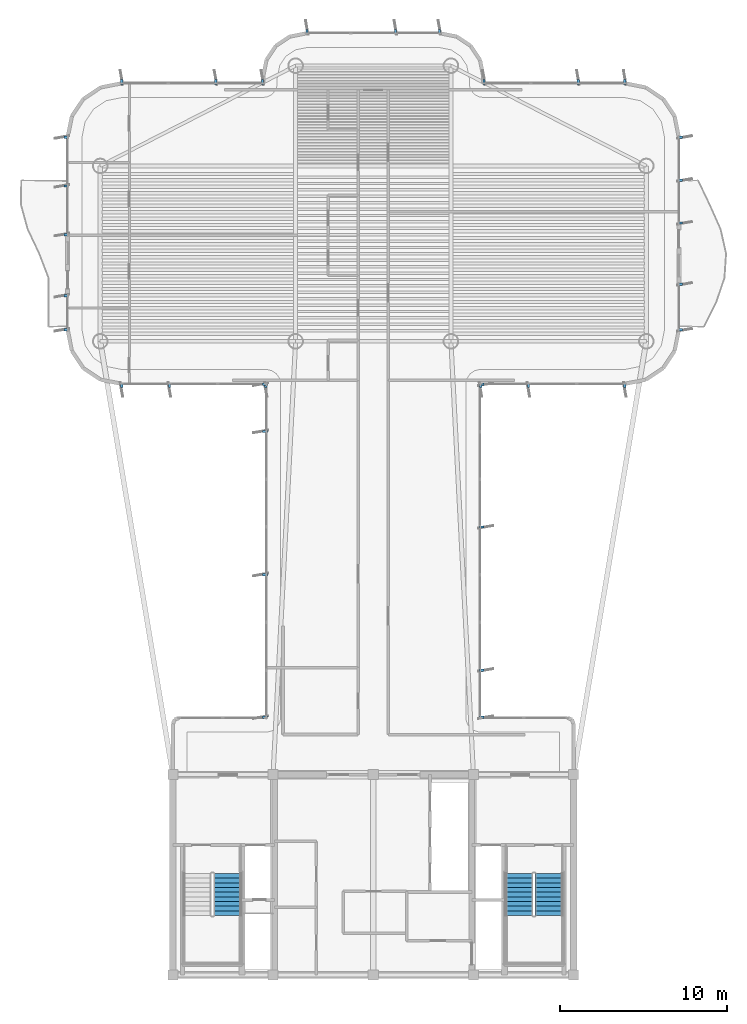
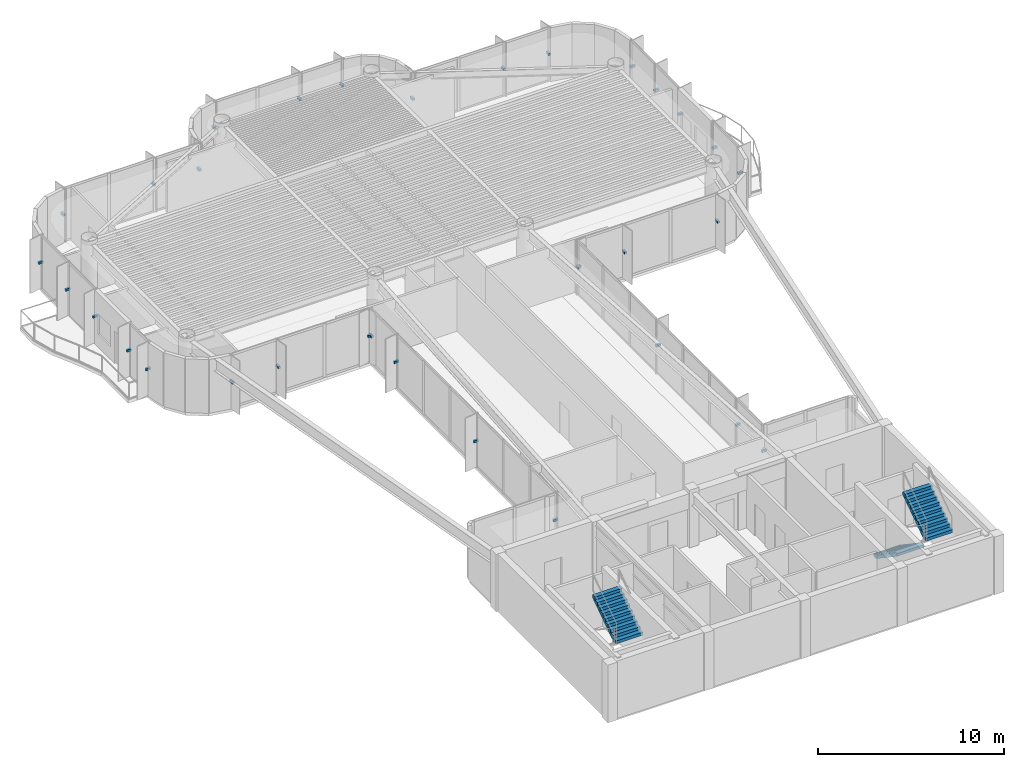
# One storey, part 13 of 15: 33 discrete accessories, 3 stair flights, 2 elements without a shape of their own.
"""IFC4 building model written with IfcOpenShell, lengths in metres."""

from ifc_helpers import new_model, si_unit, direction, frame, origin, origin_2d, place, context, subcontext, project, spatial, polyline, rectangle, outline, extrude, source, transform, mapped, material, type_object, element, aggregate, save


model = new_model("IFC4")

# Units and contexts
model_context = context("Model", 3, precision=1e-05, world=origin(), true_north=direction((0.0, 1.0)))
body_context = subcontext(model_context, "Body", "Model", "MODEL_VIEW")
ifc_project = project(units=[si_unit("LENGTHUNIT", "METRE"), si_unit("AREAUNIT", "SQUARE_METRE"), si_unit("VOLUMEUNIT", "CUBIC_METRE"), si_unit("PLANEANGLEUNIT", "RADIAN"), si_unit("MASSUNIT", "GRAM", prefix="KILO")], contexts=[model_context])

# Site, building, storey
site_placement = place(None, origin())
site = spatial("IfcSite", under=ifc_project, at=site_placement, CompositionType="ELEMENT")
building_placement = place(site_placement, origin())
building = spatial("IfcBuilding", under=site, at=building_placement, Name="Brelvock Crest Care Tower", CompositionType="ELEMENT")
storey_placement = place(building_placement, frame((0.0, 0.0, 279.719970703125)))
storey = spatial("IfcBuildingStorey", under=building, at=storey_placement, Name="L71", CompositionType="ELEMENT", Elevation=279.719970703125)

# Stair, stair flight
ifc_material_1 = material(Name="Concrete N40 (40 MPa)", Category="concrete")
stair_type = type_object("IfcStairType", Name="ST-CORE1", PredefinedType="HALF_TURN_STAIR", material=ifc_material_1)
stair_1_placement = place(storey_placement, origin())
stair_1 = element("IfcStair", 1, at=stair_1_placement, inside=storey, type_object=stair_type, Name="L71 Fire-Isolated Core Stair ST-1", PredefinedType="HALF_TURN_STAIR")
stair_flight_type = type_object("IfcStairFlightType", Name="STF-1", PredefinedType="STRAIGHT", material=ifc_material_1)
stair_flight_1_placement = place(storey_placement, frame((27.27001953125, 9.56005859375, 1.89013671875), z_axis=(0.0, 0.0, 1.0), x_axis=(0.0, 1.0, 0.0)))
stair_flight_1 = element("IfcStairFlight", 2, at=stair_flight_1_placement, type_object=stair_flight_type, Name="ST-1 flight 2", NumberOfRisers=10, NumberOfTreads=9, PredefinedType="STRAIGHT", RiserHeight=0.189, TreadLength=0.28, context=body_context, shape_type="SweptSolid", body=[
    extrude(outline(polyline([(-0.00390625, -0.014892578125), (-0.00390625, -0.0078125), (-0.00390625, -0.00048828125), (-0.00390625, 0.0068359375), (-0.00390625, 0.01416015625), (-0.00390625, 0.021484375), (-0.00390625, 0.02880859375), (-0.00390625, 0.035888671875), (-0.00390625, 0.043212890625), (-0.00390625, 0.050537109375), (-0.00390625, 0.057861328125), (-0.00390625, 0.065185546875), (-0.00390625, 0.072509765625), (-0.00390625, 0.07958984375), (-0.00390625, 0.0869140625), (-0.00390625, 0.09423828125), (-0.00390625, 0.1015625), (-0.00390625, 0.10888671875), (-0.00390625, 0.1162109375), (-0.00390625, 0.12353515625), (-0.00390625, 0.130615234375), (-0.00390625, 0.137939453125), (-0.00390625, 0.145263671875), (-0.00390625, 0.152587890625), (-0.00390625, 0.159912109375), (-0.00390625, 0.167236328125), (-0.00390625, 0.17431640625), (-0.00390625, 0.181640625), (-0.00390625, 0.18896484375), (0.0, 0.18896484375), (0.280029296875, 0.18896484375), (0.280029296875, 0.3779296875), (0.56005859375, 0.3779296875), (0.56005859375, 0.56689453125), (0.840087890625, 0.56689453125), (0.840087890625, 0.756103515625), (1.1201171875, 0.756103515625), (1.1201171875, 0.945068359375), (1.39990234375, 0.945068359375), (1.39990234375, 1.134033203125), (1.679931640625, 1.134033203125), (1.679931640625, 1.322998046875), (1.9599609375, 1.322998046875), (1.9599609375, 1.511962890625), (2.239990234375, 1.511962890625), (2.239990234375, 1.700927734375), (2.52001953125, 1.700927734375), (2.52392578125, 1.700927734375), (2.523681640625, 1.70068359375), (2.52392578125, 1.700439453125), (2.523681640625, 1.699951171875), (2.52392578125, 1.69970703125), (2.523681640625, 1.699462890625), (2.52392578125, 1.698974609375), (2.523681640625, 1.69873046875), (2.52392578125, 1.698486328125), (2.523681640625, 1.697998046875), (2.52392578125, 1.69775390625), (2.523681640625, 1.697509765625), (2.52392578125, 1.697021484375), (2.523681640625, 1.69677734375), (2.52392578125, 1.696533203125), (2.523681640625, 1.6962890625), (2.52392578125, 1.69580078125), (2.523681640625, 1.695556640625), (2.52392578125, 1.6953125), (2.523681640625, 1.69482421875), (2.52392578125, 1.694580078125), (2.523681640625, 1.6943359375), (2.52392578125, 1.69384765625), (2.523681640625, 1.693603515625), (2.52392578125, 1.693359375), (2.523681640625, 1.69287109375), (2.52392578125, 1.692626953125), (2.523681640625, 1.6923828125), (2.52392578125, 1.69189453125), (2.52001953125, 1.520263671875), (0.267822265625, 0.0), (0.0, 0.0), (0.0, -0.014892578125), (-0.00390625, -0.014892578125)])), frame((0.0, 0.83984375, 0.0), z_axis=(0.0, -1.0, 0.0), x_axis=(1.0, 0.0, 0.0)), (0.0, 0.0, 1.0), 1.679931640625),
])
aggregate(stair_1, [stair_flight_1])

# Stair, stair flights
stair_2_placement = place(storey_placement, origin())
stair_2 = element("IfcStair", 3, at=stair_2_placement, inside=storey, type_object=stair_type, Name="L71 Fire-Isolated Core Stair ST-2", PredefinedType="HALF_TURN_STAIR")
stair_flight_2_placement = place(storey_placement, frame((44.72998046875, 12.080078125, 0.0), z_axis=(0.0, 0.0, 1.0), x_axis=(0.0, -1.0, 0.0)))
stair_flight_2 = element("IfcStairFlight", 4, at=stair_flight_2_placement, type_object=stair_flight_type, Name="ST-2 flight 1", NumberOfRisers=10, NumberOfTreads=9, PredefinedType="STRAIGHT", RiserHeight=0.189, TreadLength=0.28, context=body_context, shape_type="SweptSolid", body=[
    extrude(outline(polyline([(-0.00390625, -0.014892578125), (-0.00390625, -0.0078125), (-0.00390625, -0.00048828125), (-0.00390625, 0.0068359375), (-0.00390625, 0.01416015625), (-0.00390625, 0.021484375), (-0.00390625, 0.02880859375), (-0.00390625, 0.035888671875), (-0.00390625, 0.043212890625), (-0.00390625, 0.050537109375), (-0.00390625, 0.057861328125), (-0.00390625, 0.065185546875), (-0.00390625, 0.072509765625), (-0.00390625, 0.07958984375), (-0.00390625, 0.0869140625), (-0.00390625, 0.09423828125), (-0.00390625, 0.1015625), (-0.00390625, 0.10888671875), (-0.00390625, 0.1162109375), (-0.00390625, 0.12353515625), (-0.00390625, 0.130615234375), (-0.00390625, 0.137939453125), (-0.00390625, 0.145263671875), (-0.00390625, 0.152587890625), (-0.00390625, 0.159912109375), (-0.00390625, 0.167236328125), (-0.00390625, 0.17431640625), (-0.00390625, 0.181640625), (-0.00390625, 0.18896484375), (0.0, 0.18896484375), (0.280029296875, 0.18896484375), (0.280029296875, 0.3779296875), (0.56005859375, 0.3779296875), (0.56005859375, 0.56689453125), (0.840087890625, 0.56689453125), (0.840087890625, 0.756103515625), (1.1201171875, 0.756103515625), (1.1201171875, 0.945068359375), (1.39990234375, 0.945068359375), (1.39990234375, 1.134033203125), (1.679931640625, 1.134033203125), (1.679931640625, 1.322998046875), (1.9599609375, 1.322998046875), (1.9599609375, 1.511962890625), (2.239990234375, 1.511962890625), (2.239990234375, 1.700927734375), (2.52001953125, 1.700927734375), (2.52392578125, 1.700927734375), (2.523681640625, 1.70068359375), (2.52392578125, 1.700439453125), (2.523681640625, 1.699951171875), (2.52392578125, 1.69970703125), (2.523681640625, 1.699462890625), (2.52392578125, 1.698974609375), (2.523681640625, 1.69873046875), (2.52392578125, 1.698486328125), (2.523681640625, 1.697998046875), (2.52392578125, 1.69775390625), (2.523681640625, 1.697509765625), (2.52392578125, 1.697021484375), (2.523681640625, 1.69677734375), (2.52392578125, 1.696533203125), (2.523681640625, 1.6962890625), (2.52392578125, 1.69580078125), (2.523681640625, 1.695556640625), (2.52392578125, 1.6953125), (2.523681640625, 1.69482421875), (2.52392578125, 1.694580078125), (2.523681640625, 1.6943359375), (2.52392578125, 1.69384765625), (2.523681640625, 1.693603515625), (2.52392578125, 1.693359375), (2.523681640625, 1.69287109375), (2.52392578125, 1.692626953125), (2.523681640625, 1.6923828125), (2.52392578125, 1.69189453125), (2.52001953125, 1.520263671875), (0.267822265625, 0.0), (0.0, 0.0), (0.0, -0.014892578125), (-0.00390625, -0.014892578125)])), frame((0.0, 0.83984375, 0.0), z_axis=(0.0, -1.0, 0.0), x_axis=(1.0, 0.0, 0.0)), (0.0, 0.0, 1.0), 1.679931640625),
])
stair_flight_3_placement = place(storey_placement, frame((46.530029296875, 9.56005859375, 1.89013671875), z_axis=(0.0, 0.0, 1.0), x_axis=(0.0, 1.0, 0.0)))
stair_flight_3 = element("IfcStairFlight", 5, at=stair_flight_3_placement, type_object=stair_flight_type, Name="ST-2 flight 2", NumberOfRisers=10, NumberOfTreads=9, PredefinedType="STRAIGHT", RiserHeight=0.189, TreadLength=0.28, context=body_context, shape_type="SweptSolid", body=[
    extrude(outline(polyline([(-0.00390625, -0.014892578125), (-0.00390625, -0.0078125), (-0.00390625, -0.00048828125), (-0.00390625, 0.0068359375), (-0.00390625, 0.01416015625), (-0.00390625, 0.021484375), (-0.00390625, 0.02880859375), (-0.00390625, 0.035888671875), (-0.00390625, 0.043212890625), (-0.00390625, 0.050537109375), (-0.00390625, 0.057861328125), (-0.00390625, 0.065185546875), (-0.00390625, 0.072509765625), (-0.00390625, 0.07958984375), (-0.00390625, 0.0869140625), (-0.00390625, 0.09423828125), (-0.00390625, 0.1015625), (-0.00390625, 0.10888671875), (-0.00390625, 0.1162109375), (-0.00390625, 0.12353515625), (-0.00390625, 0.130615234375), (-0.00390625, 0.137939453125), (-0.00390625, 0.145263671875), (-0.00390625, 0.152587890625), (-0.00390625, 0.159912109375), (-0.00390625, 0.167236328125), (-0.00390625, 0.17431640625), (-0.00390625, 0.181640625), (-0.00390625, 0.18896484375), (0.0, 0.18896484375), (0.280029296875, 0.18896484375), (0.280029296875, 0.3779296875), (0.56005859375, 0.3779296875), (0.56005859375, 0.56689453125), (0.840087890625, 0.56689453125), (0.840087890625, 0.756103515625), (1.1201171875, 0.756103515625), (1.1201171875, 0.945068359375), (1.39990234375, 0.945068359375), (1.39990234375, 1.134033203125), (1.679931640625, 1.134033203125), (1.679931640625, 1.322998046875), (1.9599609375, 1.322998046875), (1.9599609375, 1.511962890625), (2.239990234375, 1.511962890625), (2.239990234375, 1.700927734375), (2.52001953125, 1.700927734375), (2.52392578125, 1.700927734375), (2.523681640625, 1.70068359375), (2.52392578125, 1.700439453125), (2.523681640625, 1.699951171875), (2.52392578125, 1.69970703125), (2.523681640625, 1.699462890625), (2.52392578125, 1.698974609375), (2.523681640625, 1.69873046875), (2.52392578125, 1.698486328125), (2.523681640625, 1.697998046875), (2.52392578125, 1.69775390625), (2.523681640625, 1.697509765625), (2.52392578125, 1.697021484375), (2.523681640625, 1.69677734375), (2.52392578125, 1.696533203125), (2.523681640625, 1.6962890625), (2.52392578125, 1.69580078125), (2.523681640625, 1.695556640625), (2.52392578125, 1.6953125), (2.523681640625, 1.69482421875), (2.52392578125, 1.694580078125), (2.523681640625, 1.6943359375), (2.52392578125, 1.69384765625), (2.523681640625, 1.693603515625), (2.52392578125, 1.693359375), (2.523681640625, 1.69287109375), (2.52392578125, 1.692626953125), (2.523681640625, 1.6923828125), (2.52392578125, 1.69189453125), (2.52001953125, 1.520263671875), (0.267822265625, 0.0), (0.0, 0.0), (0.0, -0.014892578125), (-0.00390625, -0.014892578125)])), frame((0.0, 0.83984375, 0.0), z_axis=(0.0, -1.0, 0.0), x_axis=(1.0, 0.0, 0.0)), (0.0, 0.0, 1.0), 1.679931640625),
])
aggregate(stair_2, [stair_flight_2, stair_flight_3])

# Discrete accessories
ifc_material_2 = material(Name="Steel Grade 350", Category="steel")
discrete_accessory_type = type_object("IfcDiscreteAccessoryType", Name="ACC-BRK1", PredefinedType="BRACKET", material=ifc_material_2)
shared_shape = source(origin(), body_context, "Body", "SweptSolid", [
    extrude(rectangle(XDim=0.280029296875, YDim=0.139892578125, at=origin_2d()), origin(), (0.0, 0.0, 1.0), 0.139892578125),
])
for number, where, z_axis, x_axis, name in (
    (6, (29.52001953125, 21.429931640625, 1.6953125), (0.0, 0.0, 1.0), (-1.0, 0.0, 0.0), "L71 Facade Fin Bracket E11-01"),
    (7, (29.52001953125, 29.971435546875, 1.6953125), (0.0, 0.0, 1.0), (-1.0, 0.0, 0.0), "L71 Facade Fin Bracket E11-04"),
    (8, (29.52001953125, 38.54296875, 1.6953125), (0.0, 0.0, 1.0), (-1.0, 0.0, 0.0), "L71 Facade Fin Bracket E11-07"),
    (9, (29.52001953125, 41.3701171875, 1.6953125), (0.0, 0.0, 1.0), (-1.0, 0.0, 0.0), "L71 Facade Fin Bracket E11-08"),
    (10, (29.570068359375, 41.320068359375, 1.6953125), (0.0, 0.0, 1.0), (0.0, -1.0, 0.0), "L71 Facade Fin Bracket E12-01"),
    (11, (23.800048828125, 41.320068359375, 1.6953125), (0.0, 0.0, 1.0), (0.0, -1.0, 0.0), "L71 Facade Fin Bracket E12-03"),
    (12, (20.929931640625, 41.320068359375, 1.6953125), (0.0, 0.0, 1.0), (0.0, -1.0, 0.0), "L71 Facade Fin Bracket E12-04"),
    (13, (17.6201171875, 44.6298828125, 1.6953125), (0.0, 0.0, 1.0), (-1.0, 0.0, 0.0), "L71 Facade Fin Bracket E17A-01"),
    (14, (17.6201171875, 46.669921875, 1.6953125), (0.0, 0.0, 1.0), (-1.0, 0.0, 0.0), "L71 Facade Fin Bracket E17A-02"),
    (15, (17.6201171875, 50.330078125, 1.6953125), (0.0, 0.0, 1.0), (-1.0, 0.0, 0.0), "L71 Facade Fin Bracket E17B-01"),
    (16, (17.6201171875, 53.25, 1.6953125), (0.0, 0.0, 1.0), (-1.0, 0.0, 0.0), "L71 Facade Fin Bracket E17B-02"),
    (17, (17.6201171875, 56.169921875, 1.6953125), (0.0, 0.0, 1.0), (-1.0, 0.0, 0.0), "L71 Facade Fin Bracket E17B-03"),
    (18, (20.929931640625, 59.47998046875, 1.6953125), (0.0, 0.0, 1.0), (0.0, 1.0, 0.0), "L71 Facade Fin Bracket E22-01"),
    (19, (26.566650390625, 59.47998046875, 1.6953125), (0.0, 0.0, 1.0), (0.0, 1.0, 0.0), "L71 Facade Fin Bracket E22-03"),
    (20, (29.3701171875, 59.47998046875, 1.6953125), (0.0, 0.0, 1.0), (0.0, 1.0, 0.0), "L71 Facade Fin Bracket E22-04"),
    (21, (32.030029296875, 62.47998046875, 1.6953125), (0.0, 0.0, 1.0), (0.0, 1.0, 0.0), "L71 Facade Fin Bracket E28-01"),
    (22, (37.333251953125, 62.47998046875, 1.6953125), (0.0, 0.0, 1.0), (0.0, 1.0, 0.0), "L71 Facade Fin Bracket E28-03"),
    (23, (39.969970703125, 62.47998046875, 1.6953125), (0.0, 0.0, 1.0), (0.0, 1.0, 0.0), "L71 Facade Fin Bracket E28-04"),
    (24, (42.6298828125, 59.47998046875, 1.6953125), (0.0, 0.0, 1.0), (0.0, 1.0, 0.0), "L71 Facade Fin Bracket E34-01"),
    (25, (48.2666015625, 59.47998046875, 1.6953125), (0.0, 0.0, 1.0), (0.0, 1.0, 0.0), "L71 Facade Fin Bracket E34-03"),
    (26, (51.070068359375, 59.47998046875, 1.6953125), (0.0, 0.0, 1.0), (0.0, 1.0, 0.0), "L71 Facade Fin Bracket E34-04"),
    (27, (54.3798828125, 56.169921875, 1.6953125), (0.0, 0.0, 1.0), (1.0, 0.0, 0.0), "L71 Facade Fin Bracket E39A-01"),
    (28, (54.3798828125, 53.60009765625, 1.6953125), (0.0, 0.0, 1.0), (1.0, 0.0, 0.0), "L71 Facade Fin Bracket E39A-02"),
    (29, (54.3798828125, 51.030029296875, 1.6953125), (0.0, 0.0, 1.0), (1.0, 0.0, 0.0), "L71 Facade Fin Bracket E39A-03"),
    (30, (54.3798828125, 47.3701171875, 1.6953125), (0.0, 0.0, 1.0), (1.0, 0.0, 0.0), "L71 Facade Fin Bracket E39B-01"),
    (31, (54.3798828125, 44.6298828125, 1.6953125), (0.0, 0.0, 1.0), (1.0, 0.0, 0.0), "L71 Facade Fin Bracket E39B-02"),
    (32, (51.070068359375, 41.320068359375, 1.6953125), (0.0, 0.0, 1.0), (0.0, -1.0, 0.0), "L71 Facade Fin Bracket E44-01"),
    (33, (45.300048828125, 41.320068359375, 1.6953125), (0.0, 0.0, 1.0), (0.0, -1.0, 0.0), "L71 Facade Fin Bracket E44-03"),
    (34, (42.429931640625, 41.320068359375, 1.6953125), (0.0, 0.0, 1.0), (0.0, -1.0, 0.0), "L71 Facade Fin Bracket E44-04"),
    (35, (42.47998046875, 41.3701171875, 1.6953125), (0.0, 0.0, 1.0), (1.0, 0.0, 0.0), "L71 Facade Fin Bracket E45-01"),
    (36, (42.47998046875, 32.82861328125, 1.6953125), (0.0, 0.0, 1.0), (1.0, 0.0, 0.0), "L71 Facade Fin Bracket E45-04"),
    (37, (42.47998046875, 24.257080078125, 1.6953125), (0.0, 0.0, 1.0), (1.0, 0.0, 0.0), "L71 Facade Fin Bracket E45-07"),
    (38, (42.47998046875, 21.429931640625, 1.6953125), (0.0, 0.0, 1.0), (1.0, 0.0, 0.0), "L71 Facade Fin Bracket E45-08"),
):
    element("IfcDiscreteAccessory", number, at=place(storey_placement, frame(where, z_axis=z_axis, x_axis=x_axis)), inside=storey, type_object=discrete_accessory_type, Name=name, PredefinedType="BRACKET", context=body_context, shape_type="MappedRepresentation", body=[
        mapped(shared_shape, transform((0.0, 0.0, 0.0), x_axis=(1.0, 0.0, 0.0), y_axis=(0.0, 1.0, 0.0), z_axis=(0.0, 0.0, 1.0), scale=1.0)),
    ])

save(model, "model.ifc")
